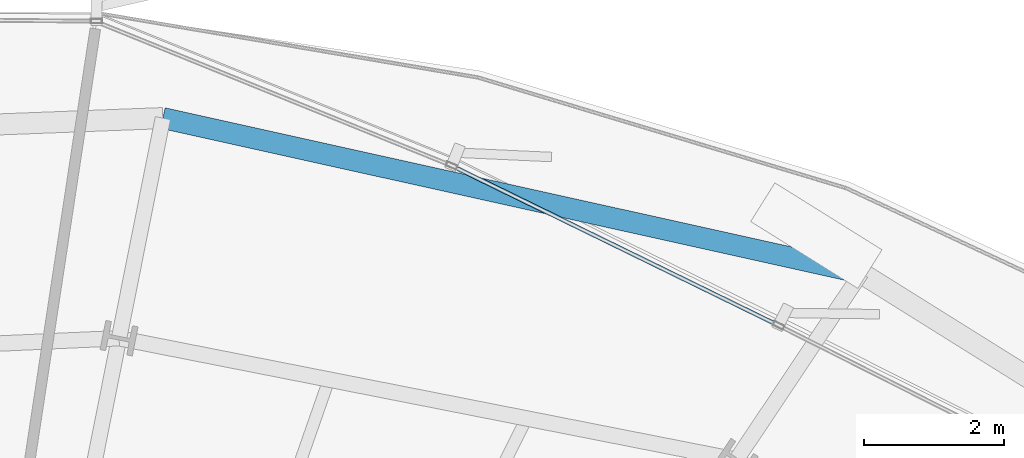
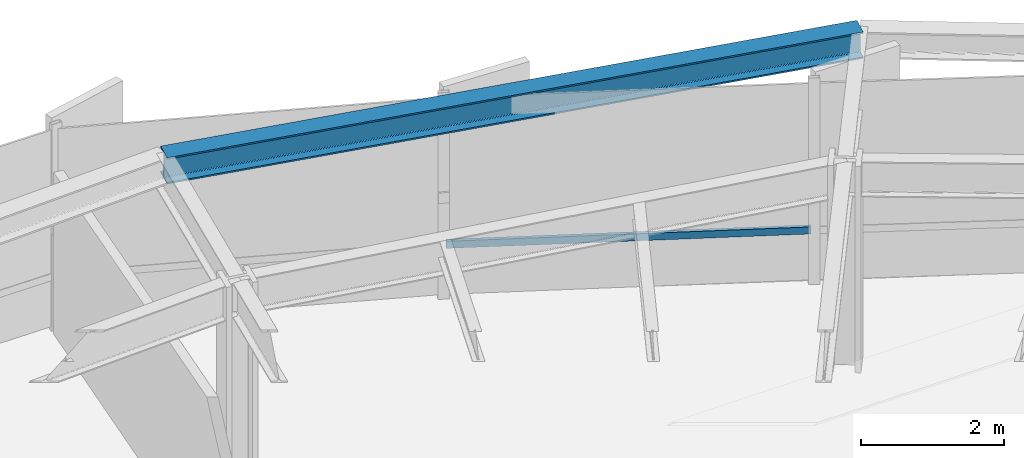
# One storey, part 29 of 39: 1 beam, 1 member, 1 element without a shape of its own.
"""IFC4 building model written with IfcOpenShell, lengths in metres."""

from ifc_helpers import new_model, si_unit, direction, frame, origin, origin_2d, place, context, subcontext, project, spatial, hollow_rectangle, i_section, extrude, source, transform, mapped, material, layer, layer_set, material_profile, profile_set, type_object, element, aggregate, save


model = new_model("IFC4")

# Units and contexts
model_context = context("Model", 3, precision=1e-05, world=origin(), true_north=direction((0.0, 1.0)))
body_context = subcontext(model_context, "Body", "Model", "MODEL_VIEW")
ifc_project = project(units=[si_unit("LENGTHUNIT", "METRE"), si_unit("AREAUNIT", "SQUARE_METRE"), si_unit("VOLUMEUNIT", "CUBIC_METRE"), si_unit("PLANEANGLEUNIT", "RADIAN"), si_unit("MASSUNIT", "GRAM", prefix="KILO"), si_unit("THERMODYNAMICTEMPERATUREUNIT", "KELVIN")], contexts=[model_context])

# Site, building, storey
site_placement = place(None, origin())
site = spatial("IfcSite", under=ifc_project, at=site_placement, CompositionType="ELEMENT")
building_placement = place(site_placement, origin())
building = spatial("IfcBuilding", under=site, at=building_placement, Name="Kethvar Cultural Tower", CompositionType="ELEMENT")
storey_placement = place(building_placement, frame((0.0, 0.0, 44.800048828125)))
storey = spatial("IfcBuildingStorey", under=building, at=storey_placement, Name="L10", CompositionType="ELEMENT", Elevation=44.800048828125)

# Beam
ifc_material_1 = material(Name="Steel S355J2", Category="steel")
ifc_material_profile_1 = material_profile(ifc_material_1, i_section(OverallWidth=0.300048828125, OverallDepth=0.449951171875, WebThickness=0.013916015625, FlangeThickness=0.02587890625, FilletRadius=0.027099609375, at=origin_2d()), Name="Steel S355J2 — HEB450")
ifc_profile_set_1 = profile_set([ifc_material_profile_1], Name="Steel S355J2 — HEB450")
beam_type = type_object("IfcBeamType", Name="BM-SP450", PredefinedType="SPANDREL", material=ifc_profile_set_1)
shared_shape_1 = source(origin(), body_context, "Body", "SweptSolid", [
    extrude(i_section(OverallWidth=0.300048828125, OverallDepth=0.449951171875, WebThickness=0.013916015625, FlangeThickness=0.02587890625, FilletRadius=0.027099609375, at=origin_2d()), origin(), (0.0, 0.0, 1.0), 10.19873046875),
])
beam_placement = place(storey_placement, frame((61.602783203125, 49.9541015625, 3.322998046875), z_axis=(-0.976234913358, 0.216715006268, 0.0), x_axis=(-0.216715006268, -0.976234913358, 0.0)))
element("IfcBeam", 1, at=beam_placement, inside=storey, type_object=beam_type, Name="L10 Perimeter Spandrel Beam SP-03", PredefinedType="SPANDREL", context=body_context, shape_type="MappedRepresentation", body=[
    mapped(shared_shape_1, transform((0.0, 0.0, 0.0), scale=1.0)),
])

# Curtain wall, member
ifc_material_2 = material(Name="Aluminium 6063-T6", Category="aluminium")
ifc_layer = layer(ifc_material_2, 0.179931640625, Name="Aluminium 6063-T6", Category="aluminium")
ifc_layer_set = layer_set([ifc_layer], Name="Aluminium 6063-T6 (180 mm)")
curtain_wall_type = type_object("IfcCurtainWallType", Name="CW-SYS-02-Z1", PredefinedType="NOTDEFINED", material=ifc_layer_set)
curtain_wall_placement = place(storey_placement, origin())
curtain_wall = element("IfcCurtainWall", 2, at=curtain_wall_placement, inside=storey, type_object=curtain_wall_type, Name="L10 Curtain Wall Run 02", PredefinedType="NOTDEFINED")
ifc_material_profile_2 = material_profile(ifc_material_2, hollow_rectangle(XDim=0.054931640625, YDim=0.1201171875, WallThickness=0.00390625, at=origin_2d()), Name="Aluminium 6063-T6 — RHS120x55x4")
ifc_profile_set_2 = profile_set([ifc_material_profile_2], Name="Aluminium 6063-T6 — RHS120x55x4")
member_type = type_object("IfcMemberType", Name="CW-SYS-02-Z1-TRN", PredefinedType="USERDEFINED", material=ifc_profile_set_2)
shared_shape_2 = source(origin(), body_context, "Body", "SweptSolid", [
    extrude(hollow_rectangle(XDim=0.054931640625, YDim=0.1201171875, WallThickness=0.00390625, at=origin_2d()), origin(), (0.0, 0.0, 1.0), 5.103271484375),
])
member_placement = place(storey_placement, frame((60.384521484375, 49.22802734375, 0.949951171875), z_axis=(-0.898447274825, 0.439081421105, 0.0), x_axis=(-0.439081421105, -0.898447274825, 0.0)))
member = element("IfcMember", 3, at=member_placement, type_object=member_type, Name="CW-L10-R02 Transom 2", ObjectType="TRANSOM", PredefinedType="USERDEFINED", context=body_context, shape_type="MappedRepresentation", body=[
    mapped(shared_shape_2, transform((0.0, 0.0, 0.0), scale=1.0)),
])
aggregate(curtain_wall, [member])

save(model, "model.ifc")
